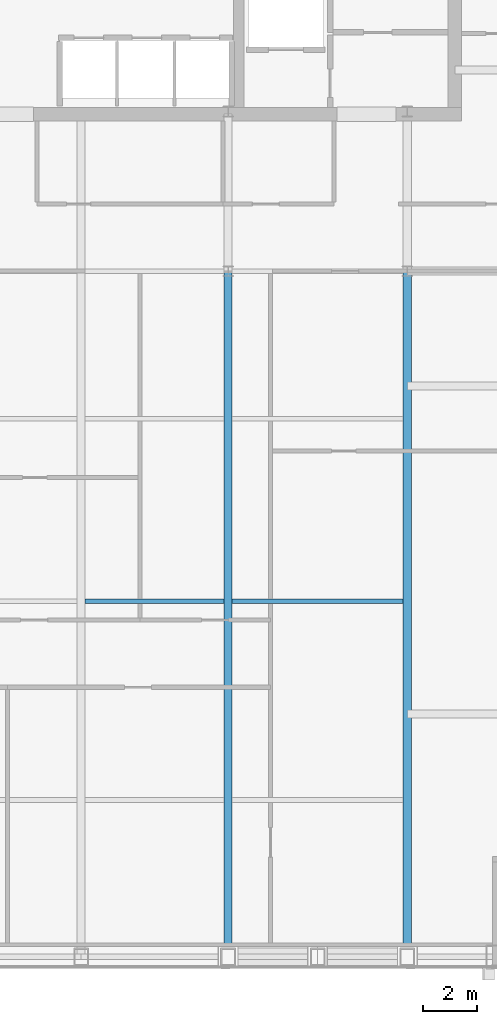
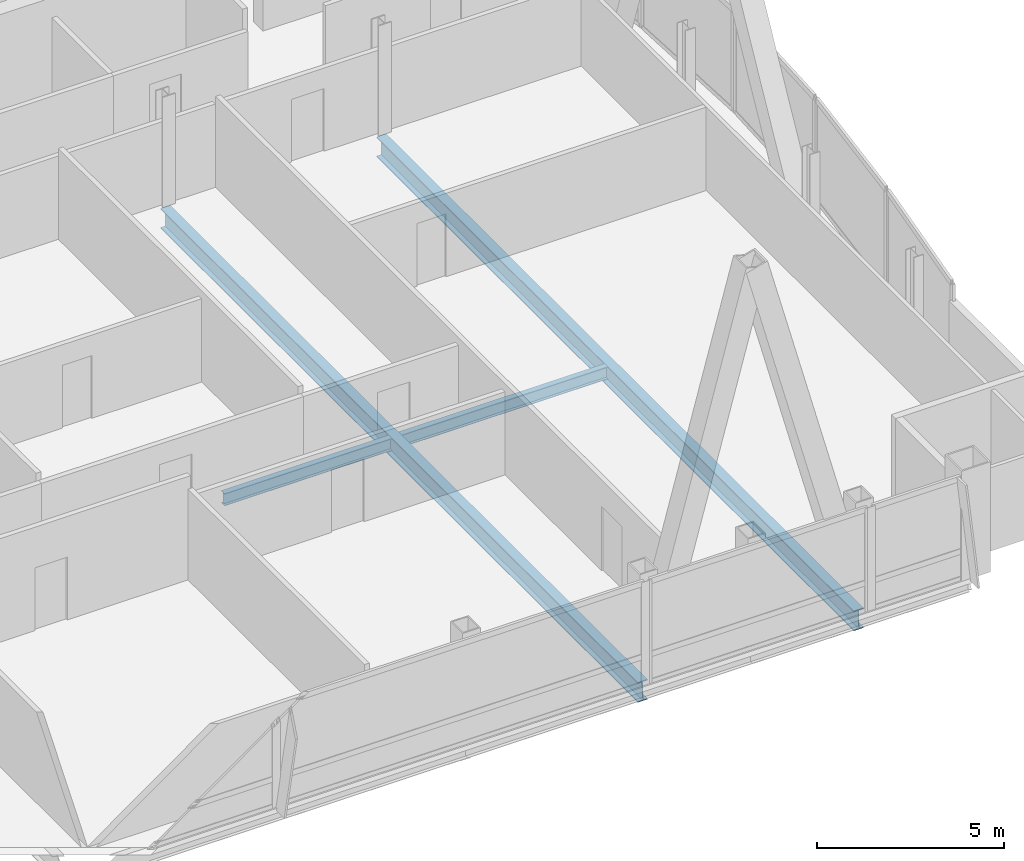
# One storey, part 14 of 29: 4 beams.
"""IFC4 building model written with IfcOpenShell, lengths in metres."""

from ifc_helpers import new_model, si_unit, direction, frame, origin, origin_2d, place, context, subcontext, project, spatial, i_section, extrude, material, material_profile, profile_set, type_object, element, save


model = new_model("IFC4")

# Units and contexts
model_context = context("Model", 3, precision=1e-05, world=origin(), true_north=direction((0.0, 1.0)))
body_context = subcontext(model_context, "Body", "Model", "MODEL_VIEW")
ifc_project = project(units=[si_unit("LENGTHUNIT", "METRE"), si_unit("AREAUNIT", "SQUARE_METRE"), si_unit("VOLUMEUNIT", "CUBIC_METRE"), si_unit("PLANEANGLEUNIT", "RADIAN"), si_unit("MASSUNIT", "GRAM", prefix="KILO")], contexts=[model_context])

# Site, building, storey
site_placement = place(None, origin())
site = spatial("IfcSite", under=ifc_project, at=site_placement, CompositionType="ELEMENT")
building_placement = place(site_placement, origin())
building = spatial("IfcBuilding", under=site, at=building_placement, Name="Khoronbel Lancet Exchange", CompositionType="ELEMENT")
storey_placement = place(building_placement, frame((0.0, 0.0, 302.199951171875)))
storey = spatial("IfcBuildingStorey", under=building, at=storey_placement, Name="L78", CompositionType="ELEMENT", Elevation=302.199951171875)

# Beams
ifc_material = material(Name="Steel S355", Category="steel")
ifc_material_profile_1 = material_profile(ifc_material, i_section(OverallWidth=0.300048828125, OverallDepth=0.64990234375, WebThickness=0.01611328125, FlangeThickness=0.031005859375, at=origin_2d()), Name="HEB 650")
ifc_profile_set_1 = profile_set([ifc_material_profile_1], Name="Steel S355")
beam_type_1 = type_object("IfcBeamType", Name="BM-BG4", PredefinedType="BEAM", material=ifc_profile_set_1)
for number, where, z_axis, x_axis, name in (
    (1, (48.0, 10.14990234375, -0.48486328125), (0.0, 1.0, 0.0), (-1.0, 0.0, 0.0), "Level L78 south primary girder GS5"),
    (2, (54.675048828125, 10.14990234375, -0.48486328125), (0.0, 1.0, 0.0), (-1.0, 0.0, 0.0), "Level L78 south primary girder GS6"),
):
    element("IfcBeam", number, at=place(storey_placement, frame(where, z_axis=z_axis, x_axis=x_axis)), inside=storey, type_object=beam_type_1, Name=name, PredefinedType="BEAM", context=body_context, shape_type="SweptSolid", body=[
        extrude(i_section(OverallWidth=0.300048828125, OverallDepth=0.64990234375, WebThickness=0.01611328125, FlangeThickness=0.031005859375, at=origin_2d()), origin(), (0.0, 0.0, 1.0), 25.550048828125),
    ])
ifc_material_profile_2 = material_profile(ifc_material, i_section(OverallWidth=0.179931640625, OverallDepth=0.39990234375, WebThickness=0.008544921875, FlangeThickness=0.013427734375, at=origin_2d()), Name="IPE 400")
ifc_profile_set_2 = profile_set([ifc_material_profile_2], Name="Steel S355")
beam_type_2 = type_object("IfcBeamType", Name="BM-BJ5", PredefinedType="JOIST", material=ifc_profile_set_2)
beam_1_placement = place(storey_placement, frame((42.675048828125, 23.39990234375, -0.35986328125), z_axis=(1.0, 0.0, 0.0), x_axis=(0.0, 1.0, 0.0)))
element("IfcBeam", 3, at=beam_1_placement, inside=storey, type_object=beam_type_2, Name="Level L78 secondary composite joist J09", PredefinedType="JOIST", context=body_context, shape_type="SweptSolid", body=[
    extrude(i_section(OverallWidth=0.179931640625, OverallDepth=0.39990234375, WebThickness=0.008544921875, FlangeThickness=0.013427734375, at=origin_2d()), origin(), (0.0, 0.0, 1.0), 5.175048828125),
])
beam_2_placement = place(storey_placement, frame((48.14990234375, 23.39990234375, -0.35986328125), z_axis=(1.0, 0.0, 0.0), x_axis=(0.0, 1.0, 0.0)))
element("IfcBeam", 4, at=beam_2_placement, inside=storey, type_object=beam_type_2, Name="Level L78 secondary composite joist J10", PredefinedType="JOIST", context=body_context, shape_type="SweptSolid", body=[
    extrude(i_section(OverallWidth=0.179931640625, OverallDepth=0.39990234375, WebThickness=0.008544921875, FlangeThickness=0.013427734375, at=origin_2d()), origin(), (0.0, 0.0, 1.0), 6.375),
])

save(model, "model.ifc")
